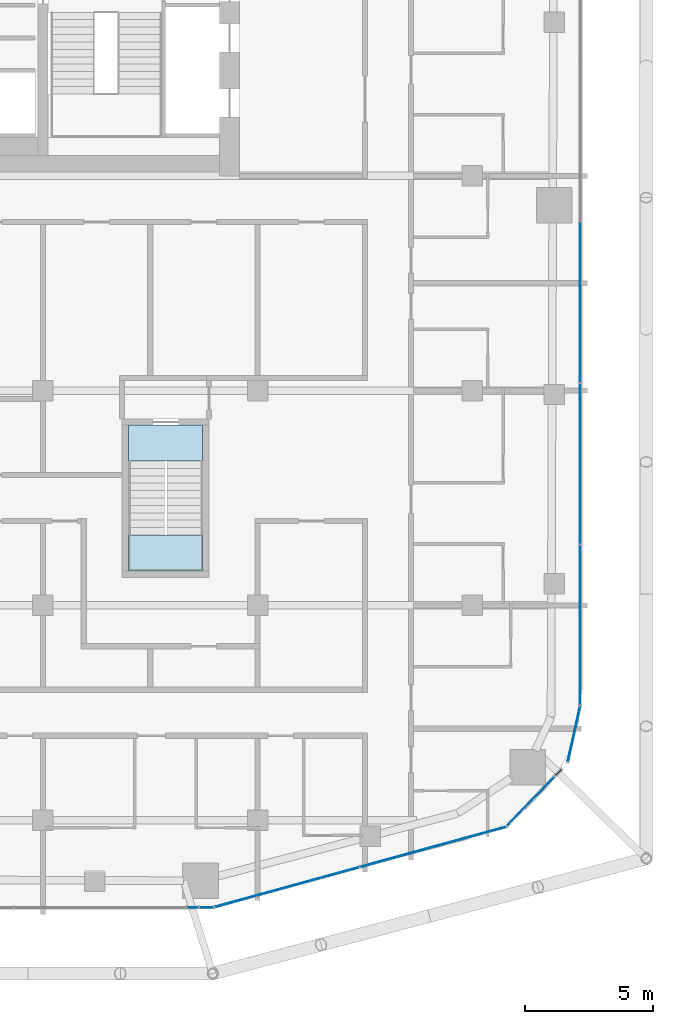
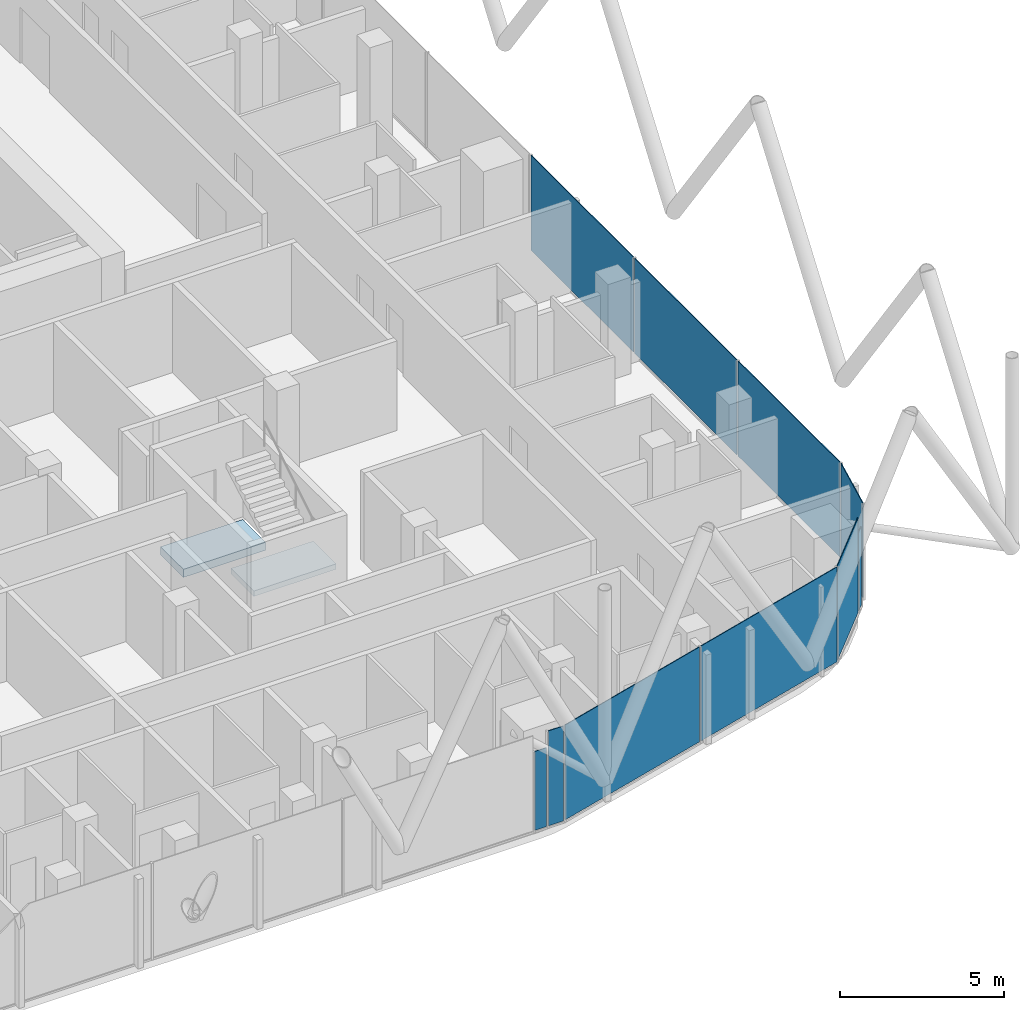
# One storey, part 16 of 28: 10 plates, 2 slabs, 8 elements without a shape of their own.
"""IFC4 building model written with IfcOpenShell, lengths in metres."""

from ifc_helpers import new_model, si_unit, direction, frame, origin, origin_2d, place, context, subcontext, project, spatial, polyline, rectangle, outline, extrude, material, layer, layer_set, type_object, element, aggregate, save


model = new_model("IFC4")

# Units and contexts
model_context = context("Model", 3, precision=1e-05, world=origin(), true_north=direction((0.0, 1.0)))
body_context = subcontext(model_context, "Body", "Model", "MODEL_VIEW")
ifc_project = project(units=[si_unit("LENGTHUNIT", "METRE"), si_unit("AREAUNIT", "SQUARE_METRE"), si_unit("VOLUMEUNIT", "CUBIC_METRE"), si_unit("PLANEANGLEUNIT", "RADIAN"), si_unit("MASSUNIT", "GRAM", prefix="KILO")], contexts=[model_context])

# Site, building, storey
site_placement = place(None, origin())
site = spatial("IfcSite", under=ifc_project, at=site_placement, CompositionType="ELEMENT")
building_placement = place(site_placement, origin())
building = spatial("IfcBuilding", under=site, at=building_placement, Name="Marenta Gate Hotel Tower", CompositionType="ELEMENT")
storey_placement = place(building_placement, frame((0.0, 0.0, 212.89990234375)))
storey = spatial("IfcBuildingStorey", under=building, at=storey_placement, Name="L49", CompositionType="ELEMENT", Elevation=212.89990234375)

# Curtain wall, plate
ifc_material_1 = material(Name="Tinted insulated glass in bronze anodised frame", Category="glass")
ifc_layer_1 = layer(ifc_material_1, 0.1201171875)
ifc_layer_set_1 = layer_set([ifc_layer_1], Name="Tinted insulated glass in bronze anodised frame")
curtain_wall_type = type_object("IfcCurtainWallType", Name="Tower unitised curtain wall CW1", PredefinedType="NOTDEFINED", material=ifc_layer_set_1)
curtain_wall_1_placement = place(storey_placement, origin())
curtain_wall_1 = element("IfcCurtainWall", 1, at=curtain_wall_1_placement, inside=storey, type_object=curtain_wall_type, Name="CW1 run G13", PredefinedType="NOTDEFINED")
ifc_material_2 = material(Name="Tinted insulated glass", Category="glass")
ifc_layer_2 = layer(ifc_material_2, 0.028076171875)
ifc_layer_set_2 = layer_set([ifc_layer_2], Name="Tinted insulated glass")
plate_type = type_object("IfcPlateType", Name="Glass panel CW1 28 mm tinted insulated unit", PredefinedType="CURTAIN_PANEL", material=ifc_layer_set_2)
plate_1_placement = place(storey_placement, frame((10.06201171875, -28.614013671875, 0.060302734375), z_axis=(0.0, 0.0, 1.0), x_axis=(0.999998577531, 0.001686693784, 0.0)))
plate_1 = element("IfcPlate", 2, at=plate_1_placement, type_object=plate_type, Name="CW1 panel 1.1", PredefinedType="CURTAIN_PANEL", context=body_context, shape_type="SweptSolid", body=[
    extrude(rectangle(XDim=0.414306640625, YDim=0.028076171875, at=origin_2d()), origin(), (0.0, 0.0, 1.0), 2.9404296875),
])
aggregate(curtain_wall_1, [plate_1])

curtain_wall_2_placement = place(storey_placement, origin())
curtain_wall_2 = element("IfcCurtainWall", 3, at=curtain_wall_2_placement, inside=storey, type_object=curtain_wall_type, Name="CW1 run G14", PredefinedType="NOTDEFINED")
plate_2_placement = place(storey_placement, frame((10.601318359375, -28.613037109375, 0.06005859375), z_axis=(0.0, 0.0, 1.0), x_axis=(0.999998631715, 0.001654257461, 0.0)))
plate_2 = element("IfcPlate", 4, at=plate_2_placement, type_object=plate_type, Name="CW1 panel 1.1", PredefinedType="CURTAIN_PANEL", context=body_context, shape_type="SweptSolid", body=[
    extrude(rectangle(XDim=0.54443359375, YDim=0.028076171875, at=origin_2d()), origin(), (0.0, 0.0, 1.0), 3.5400390625),
])
aggregate(curtain_wall_2, [plate_2])

# Curtain wall, plates
curtain_wall_3_placement = place(storey_placement, origin())
curtain_wall_3 = element("IfcCurtainWall", 5, at=curtain_wall_3_placement, inside=storey, type_object=curtain_wall_type, Name="CW1 run G15", PredefinedType="NOTDEFINED")
plate_3_placement = place(storey_placement, frame((13.7509765625, -27.82080078125, 0.06005859375), z_axis=(0.0, 0.0, 1.0), x_axis=(0.964167765212, 0.265293272675, 0.0)))
plate_3 = element("IfcPlate", 6, at=plate_3_placement, type_object=plate_type, Name="CW1 panel 1.1", PredefinedType="CURTAIN_PANEL", context=body_context, shape_type="SweptSolid", body=[
    extrude(rectangle(XDim=5.848388671875, YDim=0.028076171875, at=origin_2d()), origin(), (0.0, 0.0, 1.0), 3.5400390625),
])
plate_4_placement = place(storey_placement, frame((19.4765625, -26.245361328125, 0.06005859375), z_axis=(0.0, 0.0, 1.0), x_axis=(0.964167765212, 0.265293272675, 0.0)))
plate_4 = element("IfcPlate", 7, at=plate_4_placement, type_object=plate_type, Name="CW1 panel 2.1", PredefinedType="CURTAIN_PANEL", context=body_context, shape_type="SweptSolid", body=[
    extrude(rectangle(XDim=5.908203125, YDim=0.028076171875, at=origin_2d()), origin(), (0.0, 0.0, 1.0), 3.5400390625),
])
aggregate(curtain_wall_3, [plate_3, plate_4])

# Curtain wall, plate
curtain_wall_4_placement = place(storey_placement, origin())
curtain_wall_4 = element("IfcCurtainWall", 8, at=curtain_wall_4_placement, inside=storey, type_object=curtain_wall_type, Name="CW1 run G16", PredefinedType="NOTDEFINED")
plate_5_placement = place(storey_placement, frame((23.284912109375, -24.461669921875, 0.06005859375), z_axis=(0.0, 0.0, 1.0), x_axis=(0.692544874237, 0.721374796599, 0.0)))
plate_5 = element("IfcPlate", 9, at=plate_5_placement, type_object=plate_type, Name="CW1 panel 1.1", PredefinedType="CURTAIN_PANEL", context=body_context, shape_type="SweptSolid", body=[
    extrude(rectangle(XDim=2.652587890625, YDim=0.028076171875, at=origin_2d()), origin(), (0.0, 0.0, 1.0), 3.5400390625),
])
aggregate(curtain_wall_4, [plate_5])

curtain_wall_5_placement = place(storey_placement, origin())
curtain_wall_5 = element("IfcCurtainWall", 10, at=curtain_wall_5_placement, inside=storey, type_object=curtain_wall_type, Name="CW1 run G17", PredefinedType="NOTDEFINED")
plate_6_placement = place(storey_placement, frame((24.360107421875, -23.341552734375, 0.060302734375), z_axis=(0.0, 0.0, 1.0), x_axis=(0.692499661278, 0.721418199888, 0.0)))
plate_6 = element("IfcPlate", 11, at=plate_6_placement, type_object=plate_type, Name="CW1 panel 1.1", PredefinedType="CURTAIN_PANEL", context=body_context, shape_type="SweptSolid", body=[
    extrude(rectangle(XDim=0.3330078125, YDim=0.028076171875, at=origin_2d()), origin(), (0.0, 0.0, 1.0), 2.9404296875),
])
aggregate(curtain_wall_5, [plate_6])

curtain_wall_6_placement = place(storey_placement, origin())
curtain_wall_6 = element("IfcCurtainWall", 12, at=curtain_wall_6_placement, inside=storey, type_object=curtain_wall_type, Name="CW1 run G18", PredefinedType="NOTDEFINED")
plate_7_placement = place(storey_placement, frame((24.9736328125, -21.825927734375, 0.06005859375), z_axis=(0.0, 0.0, 1.0), x_axis=(0.216842096529, 0.97620669183, 0.0)))
plate_7 = element("IfcPlate", 13, at=plate_7_placement, type_object=plate_type, Name="CW1 panel 1.1", PredefinedType="CURTAIN_PANEL", context=body_context, shape_type="SweptSolid", body=[
    extrude(rectangle(XDim=2.216796875, YDim=0.028076171875, at=origin_2d()), origin(), (0.0, 0.0, 1.0), 3.5400390625),
])
aggregate(curtain_wall_6, [plate_7])

# Curtain wall, plates
curtain_wall_7_placement = place(storey_placement, origin())
curtain_wall_7 = element("IfcCurtainWall", 14, at=curtain_wall_7_placement, inside=storey, type_object=curtain_wall_type, Name="CW1 run G19", PredefinedType="NOTDEFINED")
plate_8_placement = place(storey_placement, frame((25.214111328125, -17.567626953125, 0.06005859375), z_axis=(0.0, 0.0, 1.0), x_axis=(0.0, 1.0, 0.0)))
plate_8 = element("IfcPlate", 15, at=plate_8_placement, type_object=plate_type, Name="CW1 panel 1.1", PredefinedType="CURTAIN_PANEL", context=body_context, shape_type="SweptSolid", body=[
    extrude(rectangle(XDim=6.232666015625, YDim=0.028076171875, at=origin_2d()), origin(), (0.0, 0.0, 1.0), 3.5400390625),
])
plate_9_placement = place(storey_placement, frame((25.214111328125, -11.260009765625, 0.06005859375), z_axis=(0.0, 0.0, 1.0), x_axis=(0.0, 1.0, 0.0)))
plate_9 = element("IfcPlate", 16, at=plate_9_placement, type_object=plate_type, Name="CW1 panel 2.1", PredefinedType="CURTAIN_PANEL", context=body_context, shape_type="SweptSolid", body=[
    extrude(rectangle(XDim=6.2626953125, YDim=0.028076171875, at=origin_2d()), origin(), (0.0, 0.0, 1.0), 3.5400390625),
])
plate_10_placement = place(storey_placement, frame((25.214111328125, -4.937255859375, 0.06005859375), z_axis=(0.0, 0.0, 1.0), x_axis=(0.0, 1.0, 0.0)))
plate_10 = element("IfcPlate", 17, at=plate_10_placement, type_object=plate_type, Name="CW1 panel 3.1", PredefinedType="CURTAIN_PANEL", context=body_context, shape_type="SweptSolid", body=[
    extrude(rectangle(XDim=6.2626953125, YDim=0.028076171875, at=origin_2d()), origin(), (0.0, 0.0, 1.0), 3.5400390625),
])
aggregate(curtain_wall_7, [plate_8, plate_9, plate_10])

# Stair, slab
ifc_material_3 = material(Name="Concrete C40", Category="concrete")
stair_type = type_object("IfcStairType", Name="Remote exit stair 1400 wide", PredefinedType="HALF_TURN_STAIR", material=ifc_material_3)
stair_placement = place(storey_placement, origin())
stair = element("IfcStair", 18, at=stair_placement, inside=storey, type_object=stair_type, Name="Exit stair RS-Z3-2", PredefinedType="HALF_TURN_STAIR")
ifc_material_4 = material(Name="Concrete C40", Category="concrete")
ifc_layer_3 = layer(ifc_material_4, 0.199951171875)
ifc_layer_set_3 = layer_set([ifc_layer_3], Name="Concrete C40")
slab_type_1 = type_object("IfcSlabType", Name="Remote stair landing 200", PredefinedType="LANDING", material=ifc_layer_set_3)
slab_1_placement = place(storey_placement, frame((0.0, 0.0, 1.60009765625)))
slab_1 = element("IfcSlab", 19, at=slab_1_placement, type_object=slab_type_1, Name="RL-200 RS-Z3-2 landing 1", PredefinedType="LANDING", context=body_context, shape_type="SweptSolid", body=[
    extrude(outline(polyline([(7.550048828125, -15.449951171875), (10.449951171875, -15.449951171875), (10.449951171875, -14.050048828125), (7.550048828125, -14.050048828125), (7.550048828125, -15.449951171875)])), origin(), (0.0, 0.0, 1.0), 0.199951171875),
])
aggregate(stair, [slab_1])

# Slab
ifc_material_5 = material(Name="Concrete C40", Category="concrete")
ifc_layer_4 = layer(ifc_material_5, 0.300048828125)
ifc_layer_set_4 = layer_set([ifc_layer_4], Name="Concrete C40")
slab_type_2 = type_object("IfcSlabType", Name="Stair floor landing slab 300", PredefinedType="FLOOR", material=ifc_layer_set_4)
slab_2_placement = place(storey_placement, frame((0.0, 0.0, -0.2998046875)))
element("IfcSlab", 20, at=slab_2_placement, inside=storey, type_object=slab_type_2, Name="L49-RS-Z3-2-CL", PredefinedType="FLOOR", context=body_context, shape_type="SweptSolid", body=[
    extrude(outline(polyline([(10.449951171875, -11.14990234375), (10.449951171875, -9.75), (7.550048828125, -9.75), (7.550048828125, -11.14990234375), (10.449951171875, -11.14990234375)])), origin(), (0.0, 0.0, 1.0), 0.2998046875),
])

save(model, "model.ifc")
